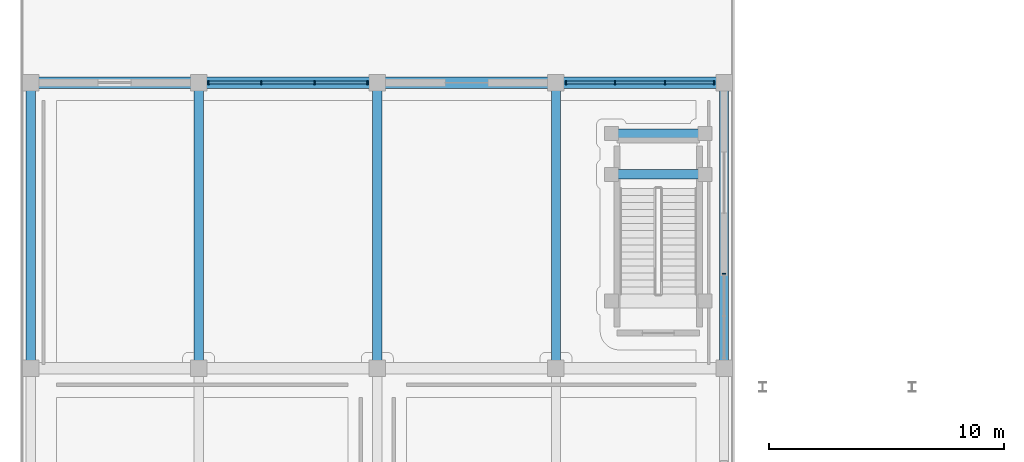
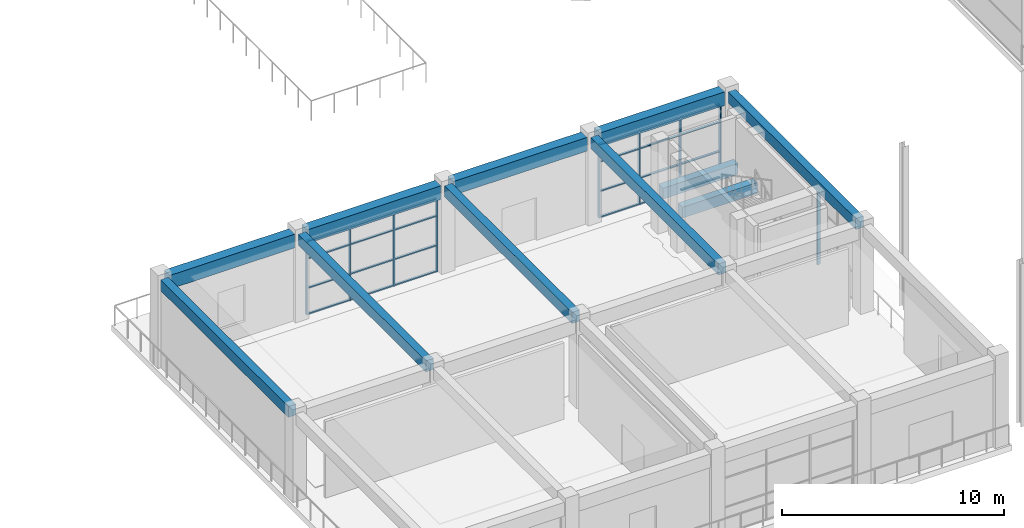
# One storey, part 20 of 99: 33 members, 11 beams, 3 elements without a shape of their own.
"""IFC4 building model written with IfcOpenShell, lengths in metres."""

from ifc_helpers import new_model, si_unit, direction, frame, origin, origin_2d, place, context, subcontext, project, spatial, rectangle, extrude, material, material_profile, profile_set, type_object, element, aggregate, save


model = new_model("IFC4")

# Units and contexts
model_context = context("Model", 3, precision=1e-05, world=origin(), true_north=direction((0.0, 1.0)))
body_context = subcontext(model_context, "Body", "Model", "MODEL_VIEW")
ifc_project = project(units=[si_unit("LENGTHUNIT", "METRE"), si_unit("AREAUNIT", "SQUARE_METRE"), si_unit("VOLUMEUNIT", "CUBIC_METRE"), si_unit("PLANEANGLEUNIT", "RADIAN"), si_unit("MASSUNIT", "GRAM", prefix="KILO")], contexts=[model_context])

# Site, building, storey
site_placement = place(None, origin())
site = spatial("IfcSite", under=ifc_project, at=site_placement, CompositionType="ELEMENT")
building_placement = place(site_placement, origin())
building = spatial("IfcBuilding", under=site, at=building_placement, Name="Saryqyr Civic Hall", CompositionType="ELEMENT")
storey_placement = place(building_placement, origin())
storey = spatial("IfcBuildingStorey", under=building, at=storey_placement, Name="L00", CompositionType="ELEMENT", Elevation=0.0)

# Curtain wall, member
ifc_material_1 = material(Name="Anodised aluminium and triple low-E glass", Category="aluminium")
curtain_wall_type_1 = type_object("IfcCurtainWallType", Name="ENV-CW-STD-09", PredefinedType="NOTDEFINED", material=ifc_material_1)
curtain_wall_1_placement = place(storey_placement, origin())
curtain_wall_1 = element("IfcCurtainWall", 1, at=curtain_wall_1_placement, inside=storey, type_object=curtain_wall_type_1, Name="Curtain wall V7W-CW-L00-1-1", PredefinedType="NOTDEFINED")
ifc_material_2 = material(Name="Anodised aluminium", Category="aluminium")
ifc_material_profile_1 = material_profile(ifc_material_2, rectangle(XDim=0.06005859375, YDim=0.159912109375, at=origin_2d()), Name="ALU MULLION 60x160")
ifc_profile_set_1 = profile_set([ifc_material_profile_1], Name="Anodised aluminium")
member_type_1 = type_object("IfcMemberType", Name="ENV-CW-MUL-180", PredefinedType="MULLION", material=ifc_profile_set_1)
member_1_placement = place(storey_placement, frame((29.949951171875, 16.6201171875, 0.0), z_axis=(0.0, 0.0, 1.0), x_axis=(0.0, -1.0, 0.0)))
member_1 = element("IfcMember", 2, at=member_1_placement, type_object=member_type_1, Name="CW-09 mullion 1", PredefinedType="MULLION", context=body_context, shape_type="SweptSolid", body=[
    extrude(rectangle(XDim=0.06005859375, YDim=0.159912109375, at=origin_2d()), origin(), (0.0, 0.0, 1.0), 4.195068359375),
])
aggregate(curtain_wall_1, [member_1])

# Curtain wall, members
curtain_wall_type_2 = type_object("IfcCurtainWallType", Name="ENV-CW-STD-59", PredefinedType="NOTDEFINED", material=ifc_material_1)
curtain_wall_2_placement = place(storey_placement, origin())
curtain_wall_2 = element("IfcCurtainWall", 3, at=curtain_wall_2_placement, inside=storey, type_object=curtain_wall_type_2, Name="Curtain wall V7W-CW-L00-2-1", PredefinedType="NOTDEFINED")
member_2_placement = place(storey_placement, frame((8.02001953125, 24.75, 0.0), z_axis=(0.0, 0.0, 1.0), x_axis=(1.0, 0.0, 0.0)))
member_2 = element("IfcMember", 4, at=member_2_placement, type_object=member_type_1, Name="CW-59 mullion 1", PredefinedType="MULLION", context=body_context, shape_type="SweptSolid", body=[
    extrude(rectangle(XDim=0.06005859375, YDim=0.159912109375, at=origin_2d()), origin(), (0.0, 0.0, 1.0), 4.044921875),
])
member_3_placement = place(storey_placement, frame((10.263427734375, 24.75, 0.0), z_axis=(0.0, 0.0, 1.0), x_axis=(1.0, 0.0, 0.0)))
member_3 = element("IfcMember", 5, at=member_3_placement, type_object=member_type_1, Name="CW-59 mullion 2", PredefinedType="MULLION", context=body_context, shape_type="SweptSolid", body=[
    extrude(rectangle(XDim=0.06005859375, YDim=0.159912109375, at=origin_2d()), origin(), (0.0, 0.0, 1.0), 4.044921875),
])
member_4_placement = place(storey_placement, frame((12.53662109375, 24.75, 0.0), z_axis=(0.0, 0.0, 1.0), x_axis=(1.0, 0.0, 0.0)))
member_4 = element("IfcMember", 6, at=member_4_placement, type_object=member_type_1, Name="CW-59 mullion 3", PredefinedType="MULLION", context=body_context, shape_type="SweptSolid", body=[
    extrude(rectangle(XDim=0.06005859375, YDim=0.159912109375, at=origin_2d()), origin(), (0.0, 0.0, 1.0), 4.044921875),
])
member_5_placement = place(storey_placement, frame((14.780029296875, 24.75, 0.0), z_axis=(0.0, 0.0, 1.0), x_axis=(1.0, 0.0, 0.0)))
member_5 = element("IfcMember", 7, at=member_5_placement, type_object=member_type_1, Name="CW-59 mullion 4", PredefinedType="MULLION", context=body_context, shape_type="SweptSolid", body=[
    extrude(rectangle(XDim=0.06005859375, YDim=0.159912109375, at=origin_2d()), origin(), (0.0, 0.0, 1.0), 4.044921875),
])

curtain_wall_type_3 = type_object("IfcCurtainWallType", Name="ENV-CW-STD-60", PredefinedType="NOTDEFINED", material=ifc_material_1)
curtain_wall_3_placement = place(storey_placement, origin())
curtain_wall_3 = element("IfcCurtainWall", 8, at=curtain_wall_3_placement, inside=storey, type_object=curtain_wall_type_3, Name="Curtain wall V7W-CW-L00-2-3", PredefinedType="NOTDEFINED")
member_6_placement = place(storey_placement, frame((23.219970703125, 24.75, 0.0), z_axis=(0.0, 0.0, 1.0), x_axis=(1.0, 0.0, 0.0)))
member_6 = element("IfcMember", 9, at=member_6_placement, type_object=member_type_1, Name="CW-60 mullion 1", PredefinedType="MULLION", context=body_context, shape_type="SweptSolid", body=[
    extrude(rectangle(XDim=0.06005859375, YDim=0.159912109375, at=origin_2d()), origin(), (0.0, 0.0, 1.0), 4.044921875),
])
member_7_placement = place(storey_placement, frame((25.313232421875, 24.75, 0.0), z_axis=(0.0, 0.0, 1.0), x_axis=(1.0, 0.0, 0.0)))
member_7 = element("IfcMember", 10, at=member_7_placement, type_object=member_type_1, Name="CW-60 mullion 2", PredefinedType="MULLION", context=body_context, shape_type="SweptSolid", body=[
    extrude(rectangle(XDim=0.06005859375, YDim=0.159912109375, at=origin_2d()), origin(), (0.0, 0.0, 1.0), 4.044921875),
])
member_8_placement = place(storey_placement, frame((27.436767578125, 24.75, 0.0), z_axis=(0.0, 0.0, 1.0), x_axis=(1.0, 0.0, 0.0)))
member_8 = element("IfcMember", 11, at=member_8_placement, type_object=member_type_1, Name="CW-60 mullion 3", PredefinedType="MULLION", context=body_context, shape_type="SweptSolid", body=[
    extrude(rectangle(XDim=0.06005859375, YDim=0.159912109375, at=origin_2d()), origin(), (0.0, 0.0, 1.0), 4.044921875),
])
member_9_placement = place(storey_placement, frame((29.530029296875, 24.75, 0.0), z_axis=(0.0, 0.0, 1.0), x_axis=(1.0, 0.0, 0.0)))
member_9 = element("IfcMember", 12, at=member_9_placement, type_object=member_type_1, Name="CW-60 mullion 4", PredefinedType="MULLION", context=body_context, shape_type="SweptSolid", body=[
    extrude(rectangle(XDim=0.06005859375, YDim=0.159912109375, at=origin_2d()), origin(), (0.0, 0.0, 1.0), 4.044921875),
])

# Member
ifc_material_profile_2 = material_profile(ifc_material_2, rectangle(XDim=0.1201171875, YDim=0.06005859375, at=origin_2d()), Name="ALU TRANSOM 120x60")
ifc_profile_set_2 = profile_set([ifc_material_profile_2], Name="Anodised aluminium")
member_type_2 = type_object("IfcMemberType", Name="ENV-CW-TRN-150", PredefinedType="USERDEFINED", material=ifc_profile_set_2)
member_10_placement = place(storey_placement, frame((8.050048828125, 24.75, 0.030029296875), z_axis=(1.0, 0.0, 0.0), x_axis=(0.0, 1.0, 0.0)))
member_10 = element("IfcMember", 13, at=member_10_placement, type_object=member_type_2, Name="CW-59 transom 1.1", ObjectType="TRANSOM", PredefinedType="USERDEFINED", context=body_context, shape_type="SweptSolid", body=[
    extrude(rectangle(XDim=0.1201171875, YDim=0.06005859375, at=origin_2d()), origin(), (0.0, 0.0, 1.0), 2.183349609375),
])

member_11_placement = place(storey_placement, frame((8.050048828125, 24.75, 1.4560546875), z_axis=(1.0, 0.0, 0.0), x_axis=(0.0, 1.0, 0.0)))
member_11 = element("IfcMember", 14, at=member_11_placement, type_object=member_type_2, Name="CW-59 transom 1.2", ObjectType="TRANSOM", PredefinedType="USERDEFINED", context=body_context, shape_type="SweptSolid", body=[
    extrude(rectangle(XDim=0.1201171875, YDim=0.06005859375, at=origin_2d()), origin(), (0.0, 0.0, 1.0), 2.183349609375),
])

member_12_placement = place(storey_placement, frame((8.050048828125, 24.75, 3.073974609375), z_axis=(1.0, 0.0, 0.0), x_axis=(0.0, 1.0, 0.0)))
member_12 = element("IfcMember", 15, at=member_12_placement, type_object=member_type_2, Name="CW-59 transom 1.3", ObjectType="TRANSOM", PredefinedType="USERDEFINED", context=body_context, shape_type="SweptSolid", body=[
    extrude(rectangle(XDim=0.1201171875, YDim=0.06005859375, at=origin_2d()), origin(), (0.0, 0.0, 1.0), 2.183349609375),
])

member_13_placement = place(storey_placement, frame((8.050048828125, 24.75, 4.014892578125), z_axis=(1.0, 0.0, 0.0), x_axis=(0.0, 1.0, 0.0)))
member_13 = element("IfcMember", 16, at=member_13_placement, type_object=member_type_2, Name="CW-59 transom 1.4", ObjectType="TRANSOM", PredefinedType="USERDEFINED", context=body_context, shape_type="SweptSolid", body=[
    extrude(rectangle(XDim=0.1201171875, YDim=0.06005859375, at=origin_2d()), origin(), (0.0, 0.0, 1.0), 2.183349609375),
])

member_14_placement = place(storey_placement, frame((10.293212890625, 24.75, 0.030029296875), z_axis=(1.0, 0.0, 0.0), x_axis=(0.0, 1.0, 0.0)))
member_14 = element("IfcMember", 17, at=member_14_placement, type_object=member_type_2, Name="CW-59 transom 2.1", ObjectType="TRANSOM", PredefinedType="USERDEFINED", context=body_context, shape_type="SweptSolid", body=[
    extrude(rectangle(XDim=0.1201171875, YDim=0.06005859375, at=origin_2d()), origin(), (0.0, 0.0, 1.0), 2.21337890625),
])

member_15_placement = place(storey_placement, frame((10.293212890625, 24.75, 1.4560546875), z_axis=(1.0, 0.0, 0.0), x_axis=(0.0, 1.0, 0.0)))
member_15 = element("IfcMember", 18, at=member_15_placement, type_object=member_type_2, Name="CW-59 transom 2.2", ObjectType="TRANSOM", PredefinedType="USERDEFINED", context=body_context, shape_type="SweptSolid", body=[
    extrude(rectangle(XDim=0.1201171875, YDim=0.06005859375, at=origin_2d()), origin(), (0.0, 0.0, 1.0), 2.21337890625),
])

member_16_placement = place(storey_placement, frame((10.293212890625, 24.75, 3.073974609375), z_axis=(1.0, 0.0, 0.0), x_axis=(0.0, 1.0, 0.0)))
member_16 = element("IfcMember", 19, at=member_16_placement, type_object=member_type_2, Name="CW-59 transom 2.3", ObjectType="TRANSOM", PredefinedType="USERDEFINED", context=body_context, shape_type="SweptSolid", body=[
    extrude(rectangle(XDim=0.1201171875, YDim=0.06005859375, at=origin_2d()), origin(), (0.0, 0.0, 1.0), 2.21337890625),
])

member_17_placement = place(storey_placement, frame((10.293212890625, 24.75, 4.014892578125), z_axis=(1.0, 0.0, 0.0), x_axis=(0.0, 1.0, 0.0)))
member_17 = element("IfcMember", 20, at=member_17_placement, type_object=member_type_2, Name="CW-59 transom 2.4", ObjectType="TRANSOM", PredefinedType="USERDEFINED", context=body_context, shape_type="SweptSolid", body=[
    extrude(rectangle(XDim=0.1201171875, YDim=0.06005859375, at=origin_2d()), origin(), (0.0, 0.0, 1.0), 2.21337890625),
])

member_18_placement = place(storey_placement, frame((12.566650390625, 24.75, 0.030029296875), z_axis=(1.0, 0.0, 0.0), x_axis=(0.0, 1.0, 0.0)))
member_18 = element("IfcMember", 21, at=member_18_placement, type_object=member_type_2, Name="CW-59 transom 3.1", ObjectType="TRANSOM", PredefinedType="USERDEFINED", context=body_context, shape_type="SweptSolid", body=[
    extrude(rectangle(XDim=0.1201171875, YDim=0.06005859375, at=origin_2d()), origin(), (0.0, 0.0, 1.0), 2.183349609375),
])

member_19_placement = place(storey_placement, frame((12.566650390625, 24.75, 1.4560546875), z_axis=(1.0, 0.0, 0.0), x_axis=(0.0, 1.0, 0.0)))
member_19 = element("IfcMember", 22, at=member_19_placement, type_object=member_type_2, Name="CW-59 transom 3.2", ObjectType="TRANSOM", PredefinedType="USERDEFINED", context=body_context, shape_type="SweptSolid", body=[
    extrude(rectangle(XDim=0.1201171875, YDim=0.06005859375, at=origin_2d()), origin(), (0.0, 0.0, 1.0), 2.183349609375),
])

member_20_placement = place(storey_placement, frame((12.566650390625, 24.75, 3.073974609375), z_axis=(1.0, 0.0, 0.0), x_axis=(0.0, 1.0, 0.0)))
member_20 = element("IfcMember", 23, at=member_20_placement, type_object=member_type_2, Name="CW-59 transom 3.3", ObjectType="TRANSOM", PredefinedType="USERDEFINED", context=body_context, shape_type="SweptSolid", body=[
    extrude(rectangle(XDim=0.1201171875, YDim=0.06005859375, at=origin_2d()), origin(), (0.0, 0.0, 1.0), 2.183349609375),
])

member_21_placement = place(storey_placement, frame((12.566650390625, 24.75, 4.014892578125), z_axis=(1.0, 0.0, 0.0), x_axis=(0.0, 1.0, 0.0)))
member_21 = element("IfcMember", 24, at=member_21_placement, type_object=member_type_2, Name="CW-59 transom 3.4", ObjectType="TRANSOM", PredefinedType="USERDEFINED", context=body_context, shape_type="SweptSolid", body=[
    extrude(rectangle(XDim=0.1201171875, YDim=0.06005859375, at=origin_2d()), origin(), (0.0, 0.0, 1.0), 2.183349609375),
])

aggregate(curtain_wall_2, [member_2, member_3, member_4, member_5, member_10, member_11, member_12, member_13, member_14, member_15, member_16, member_17, member_18, member_19, member_20, member_21])

member_22_placement = place(storey_placement, frame((23.25, 24.75, 0.030029296875), z_axis=(1.0, 0.0, 0.0), x_axis=(0.0, 1.0, 0.0)))
member_22 = element("IfcMember", 25, at=member_22_placement, type_object=member_type_2, Name="CW-60 transom 1.1", ObjectType="TRANSOM", PredefinedType="USERDEFINED", context=body_context, shape_type="SweptSolid", body=[
    extrude(rectangle(XDim=0.1201171875, YDim=0.06005859375, at=origin_2d()), origin(), (0.0, 0.0, 1.0), 2.033447265625),
])

member_23_placement = place(storey_placement, frame((23.25, 24.75, 1.4560546875), z_axis=(1.0, 0.0, 0.0), x_axis=(0.0, 1.0, 0.0)))
member_23 = element("IfcMember", 26, at=member_23_placement, type_object=member_type_2, Name="CW-60 transom 1.2", ObjectType="TRANSOM", PredefinedType="USERDEFINED", context=body_context, shape_type="SweptSolid", body=[
    extrude(rectangle(XDim=0.1201171875, YDim=0.06005859375, at=origin_2d()), origin(), (0.0, 0.0, 1.0), 2.033447265625),
])

member_24_placement = place(storey_placement, frame((23.25, 24.75, 3.073974609375), z_axis=(1.0, 0.0, 0.0), x_axis=(0.0, 1.0, 0.0)))
member_24 = element("IfcMember", 27, at=member_24_placement, type_object=member_type_2, Name="CW-60 transom 1.3", ObjectType="TRANSOM", PredefinedType="USERDEFINED", context=body_context, shape_type="SweptSolid", body=[
    extrude(rectangle(XDim=0.1201171875, YDim=0.06005859375, at=origin_2d()), origin(), (0.0, 0.0, 1.0), 2.033447265625),
])

member_25_placement = place(storey_placement, frame((23.25, 24.75, 4.014892578125), z_axis=(1.0, 0.0, 0.0), x_axis=(0.0, 1.0, 0.0)))
member_25 = element("IfcMember", 28, at=member_25_placement, type_object=member_type_2, Name="CW-60 transom 1.4", ObjectType="TRANSOM", PredefinedType="USERDEFINED", context=body_context, shape_type="SweptSolid", body=[
    extrude(rectangle(XDim=0.1201171875, YDim=0.06005859375, at=origin_2d()), origin(), (0.0, 0.0, 1.0), 2.033447265625),
])

member_26_placement = place(storey_placement, frame((25.34326171875, 24.75, 0.030029296875), z_axis=(1.0, 0.0, 0.0), x_axis=(0.0, 1.0, 0.0)))
member_26 = element("IfcMember", 29, at=member_26_placement, type_object=member_type_2, Name="CW-60 transom 2.1", ObjectType="TRANSOM", PredefinedType="USERDEFINED", context=body_context, shape_type="SweptSolid", body=[
    extrude(rectangle(XDim=0.1201171875, YDim=0.06005859375, at=origin_2d()), origin(), (0.0, 0.0, 1.0), 2.0634765625),
])

member_27_placement = place(storey_placement, frame((25.34326171875, 24.75, 1.4560546875), z_axis=(1.0, 0.0, 0.0), x_axis=(0.0, 1.0, 0.0)))
member_27 = element("IfcMember", 30, at=member_27_placement, type_object=member_type_2, Name="CW-60 transom 2.2", ObjectType="TRANSOM", PredefinedType="USERDEFINED", context=body_context, shape_type="SweptSolid", body=[
    extrude(rectangle(XDim=0.1201171875, YDim=0.06005859375, at=origin_2d()), origin(), (0.0, 0.0, 1.0), 2.0634765625),
])

member_28_placement = place(storey_placement, frame((25.34326171875, 24.75, 3.073974609375), z_axis=(1.0, 0.0, 0.0), x_axis=(0.0, 1.0, 0.0)))
member_28 = element("IfcMember", 31, at=member_28_placement, type_object=member_type_2, Name="CW-60 transom 2.3", ObjectType="TRANSOM", PredefinedType="USERDEFINED", context=body_context, shape_type="SweptSolid", body=[
    extrude(rectangle(XDim=0.1201171875, YDim=0.06005859375, at=origin_2d()), origin(), (0.0, 0.0, 1.0), 2.0634765625),
])

member_29_placement = place(storey_placement, frame((25.34326171875, 24.75, 4.014892578125), z_axis=(1.0, 0.0, 0.0), x_axis=(0.0, 1.0, 0.0)))
member_29 = element("IfcMember", 32, at=member_29_placement, type_object=member_type_2, Name="CW-60 transom 2.4", ObjectType="TRANSOM", PredefinedType="USERDEFINED", context=body_context, shape_type="SweptSolid", body=[
    extrude(rectangle(XDim=0.1201171875, YDim=0.06005859375, at=origin_2d()), origin(), (0.0, 0.0, 1.0), 2.0634765625),
])

member_30_placement = place(storey_placement, frame((27.466552734375, 24.75, 0.030029296875), z_axis=(1.0, 0.0, 0.0), x_axis=(0.0, 1.0, 0.0)))
member_30 = element("IfcMember", 33, at=member_30_placement, type_object=member_type_2, Name="CW-60 transom 3.1", ObjectType="TRANSOM", PredefinedType="USERDEFINED", context=body_context, shape_type="SweptSolid", body=[
    extrude(rectangle(XDim=0.1201171875, YDim=0.06005859375, at=origin_2d()), origin(), (0.0, 0.0, 1.0), 2.033447265625),
])

member_31_placement = place(storey_placement, frame((27.466552734375, 24.75, 1.4560546875), z_axis=(1.0, 0.0, 0.0), x_axis=(0.0, 1.0, 0.0)))
member_31 = element("IfcMember", 34, at=member_31_placement, type_object=member_type_2, Name="CW-60 transom 3.2", ObjectType="TRANSOM", PredefinedType="USERDEFINED", context=body_context, shape_type="SweptSolid", body=[
    extrude(rectangle(XDim=0.1201171875, YDim=0.06005859375, at=origin_2d()), origin(), (0.0, 0.0, 1.0), 2.033447265625),
])

member_32_placement = place(storey_placement, frame((27.466552734375, 24.75, 3.073974609375), z_axis=(1.0, 0.0, 0.0), x_axis=(0.0, 1.0, 0.0)))
member_32 = element("IfcMember", 35, at=member_32_placement, type_object=member_type_2, Name="CW-60 transom 3.3", ObjectType="TRANSOM", PredefinedType="USERDEFINED", context=body_context, shape_type="SweptSolid", body=[
    extrude(rectangle(XDim=0.1201171875, YDim=0.06005859375, at=origin_2d()), origin(), (0.0, 0.0, 1.0), 2.033447265625),
])

member_33_placement = place(storey_placement, frame((27.466552734375, 24.75, 4.014892578125), z_axis=(1.0, 0.0, 0.0), x_axis=(0.0, 1.0, 0.0)))
member_33 = element("IfcMember", 36, at=member_33_placement, type_object=member_type_2, Name="CW-60 transom 3.4", ObjectType="TRANSOM", PredefinedType="USERDEFINED", context=body_context, shape_type="SweptSolid", body=[
    extrude(rectangle(XDim=0.1201171875, YDim=0.06005859375, at=origin_2d()), origin(), (0.0, 0.0, 1.0), 2.033447265625),
])

aggregate(curtain_wall_3, [member_6, member_7, member_8, member_9, member_22, member_23, member_24, member_25, member_26, member_27, member_28, member_29, member_30, member_31, member_32, member_33])

# Beams
ifc_material_3 = material(Name="Concrete C35/45", Category="concrete")
ifc_material_profile_3 = material_profile(ifc_material_3, rectangle(XDim=0.39990234375, YDim=0.60009765625, at=origin_2d()), Name="RC 400x600")
ifc_profile_set_3 = profile_set([ifc_material_profile_3], Name="Concrete C35/45")
beam_type_1 = type_object("IfcBeamType", Name="STR-BM-RC400x600", PredefinedType="BEAM", material=ifc_profile_set_3)
for number, where, z_axis, x_axis, name in (
    (37, (0.449951171875, 12.925048828125, 4.52001953125), (0.0, 1.0, 0.0), (-1.0, 0.0, 0.0), "Beam V7W-BM-NS12-L00"),
    (38, (7.60009765625, 12.925048828125, 4.52001953125), (0.0, 1.0, 0.0), (-1.0, 0.0, 0.0), "Beam V7W-BM-NS22-L00"),
    (39, (15.199951171875, 12.925048828125, 4.52001953125), (0.0, 1.0, 0.0), (-1.0, 0.0, 0.0), "Beam V7W-BM-NS32-L00"),
    (40, (22.800048828125, 12.925048828125, 4.52001953125), (0.0, 1.0, 0.0), (-1.0, 0.0, 0.0), "Beam V7W-BM-NS42-L00"),
    (41, (29.949951171875, 12.925048828125, 4.52001953125), (0.0, 1.0, 0.0), (-1.0, 0.0, 0.0), "Beam V7W-BM-NS52-L00"),
):
    element("IfcBeam", number, at=place(storey_placement, frame(where, z_axis=z_axis, x_axis=x_axis)), inside=storey, type_object=beam_type_1, Name=name, PredefinedType="BEAM", context=body_context, shape_type="SweptSolid", body=[
        extrude(rectangle(XDim=0.39990234375, YDim=0.60009765625, at=origin_2d()), origin(), (0.0, 0.0, 1.0), 11.5),
    ])
for number, where, z_axis, x_axis, name in (
    (42, (29.10009765625, 20.85009765625, 2.050048828125), (-1.0, 0.0, 0.0), (0.0, -1.0, 0.0), "Stair half-landing support beam ST-7-LND1-L00"),
    (43, (29.10009765625, 22.580078125, 2.050048828125), (-1.0, 0.0, 0.0), (0.0, -1.0, 0.0), "Stair half-landing support beam ST-7-LND2-L00"),
):
    element("IfcBeam", number, at=place(storey_placement, frame(where, z_axis=z_axis, x_axis=x_axis)), inside=storey, type_object=beam_type_1, Name=name, PredefinedType="BEAM", context=body_context, shape_type="SweptSolid", body=[
        extrude(rectangle(XDim=0.39990234375, YDim=0.60009765625, at=origin_2d()), origin(), (0.0, 0.0, 1.0), 3.900146484375),
    ])
ifc_material_4 = material(Name="Concrete C40/50", Category="concrete")
ifc_material_profile_4 = material_profile(ifc_material_4, rectangle(XDim=0.5, YDim=0.75, at=origin_2d()), Name="RC 500x750")
ifc_profile_set_4 = profile_set([ifc_material_profile_4], Name="Concrete C40/50")
beam_type_2 = type_object("IfcBeamType", Name="STR-BM-RC500x750", PredefinedType="BEAM", material=ifc_profile_set_4)
beam_1_placement = place(storey_placement, frame((0.77490234375, 24.75, 4.445068359375), z_axis=(1.0, 0.0, 0.0), x_axis=(0.0, 1.0, 0.0)))
element("IfcBeam", 44, at=beam_1_placement, inside=storey, type_object=beam_type_2, Name="Beam V7W-BM-EW31-L00", PredefinedType="BEAM", context=body_context, shape_type="SweptSolid", body=[
    extrude(rectangle(XDim=0.5, YDim=0.75, at=origin_2d()), origin(), (0.0, 0.0, 1.0), 6.5),
])
beam_2_placement = place(storey_placement, frame((7.925048828125, 24.75, 4.445068359375), z_axis=(1.0, 0.0, 0.0), x_axis=(0.0, 1.0, 0.0)))
element("IfcBeam", 45, at=beam_2_placement, inside=storey, type_object=beam_type_2, Name="Beam V7W-BM-EW32-L00", PredefinedType="BEAM", context=body_context, shape_type="SweptSolid", body=[
    extrude(rectangle(XDim=0.5, YDim=0.75, at=origin_2d()), origin(), (0.0, 0.0, 1.0), 6.949951171875),
])
beam_3_placement = place(storey_placement, frame((15.52490234375, 24.75, 4.445068359375), z_axis=(1.0, 0.0, 0.0), x_axis=(0.0, 1.0, 0.0)))
element("IfcBeam", 46, at=beam_3_placement, inside=storey, type_object=beam_type_2, Name="Beam V7W-BM-EW33-L00", PredefinedType="BEAM", context=body_context, shape_type="SweptSolid", body=[
    extrude(rectangle(XDim=0.5, YDim=0.75, at=origin_2d()), origin(), (0.0, 0.0, 1.0), 6.9501953125),
])
beam_4_placement = place(storey_placement, frame((23.125, 24.75, 4.445068359375), z_axis=(1.0, 0.0, 0.0), x_axis=(0.0, 1.0, 0.0)))
element("IfcBeam", 47, at=beam_4_placement, inside=storey, type_object=beam_type_2, Name="Beam V7W-BM-EW34-L00", PredefinedType="BEAM", context=body_context, shape_type="SweptSolid", body=[
    extrude(rectangle(XDim=0.5, YDim=0.75, at=origin_2d()), origin(), (0.0, 0.0, 1.0), 6.5),
])

save(model, "model.ifc")
